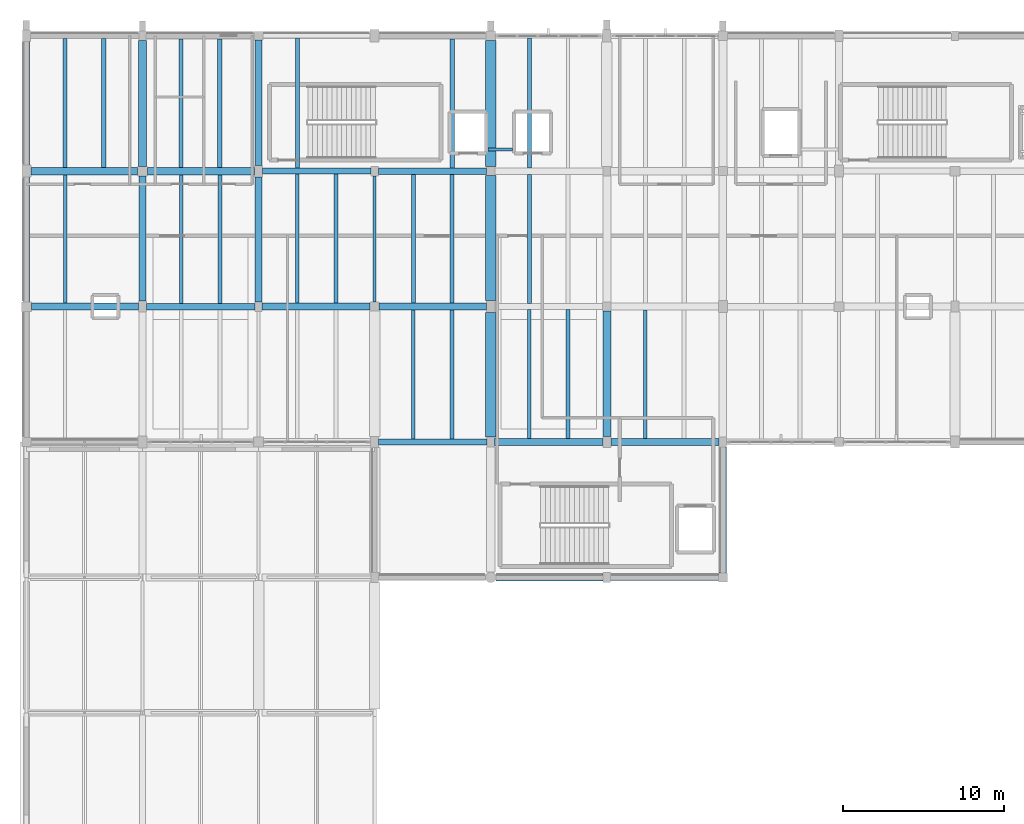
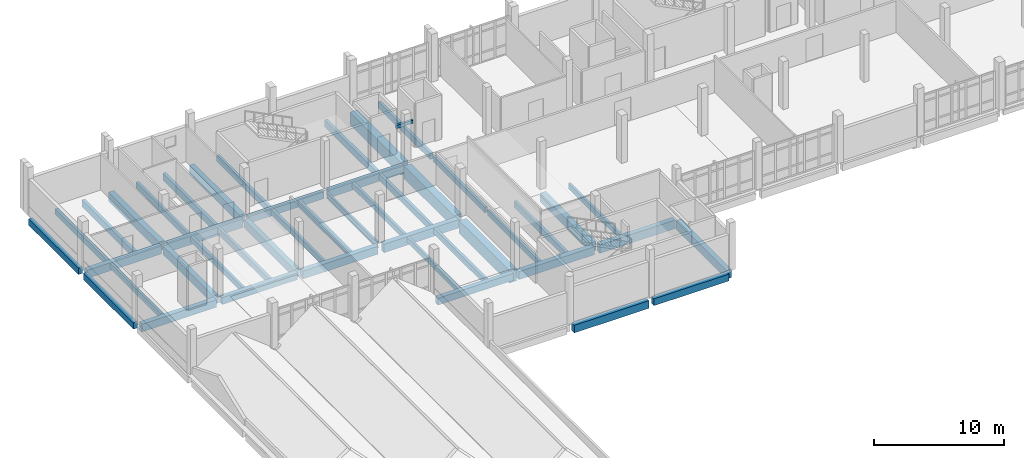
# One storey, part 12 of 41: 46 beams.
"""IFC4 building model written with IfcOpenShell, lengths in metres."""

from ifc_helpers import new_model, si_unit, direction, frame, origin, origin_2d, place, context, subcontext, project, spatial, rectangle, i_section, extrude, material, material_profile, profile_set, type_object, element, save


model = new_model("IFC4")

# Units and contexts
model_context = context("Model", 3, precision=1e-05, world=origin(), true_north=direction((0.0, 1.0)))
body_context = subcontext(model_context, "Body", "Model", "MODEL_VIEW")
ifc_project = project(units=[si_unit("LENGTHUNIT", "METRE"), si_unit("AREAUNIT", "SQUARE_METRE"), si_unit("VOLUMEUNIT", "CUBIC_METRE"), si_unit("PLANEANGLEUNIT", "RADIAN"), si_unit("MASSUNIT", "GRAM", prefix="KILO")], contexts=[model_context])

# Site, building, storey
site_placement = place(None, origin())
site = spatial("IfcSite", under=ifc_project, at=site_placement, CompositionType="ELEMENT")
building_placement = place(site_placement, origin())
building = spatial("IfcBuilding", under=site, at=building_placement, Name="Kalluvel Institute of Natural Sciences", CompositionType="ELEMENT")
storey_placement = place(building_placement, frame((0.0, 0.0, 32.39990234375)))
storey = spatial("IfcBuildingStorey", under=building, at=storey_placement, Name="L07", CompositionType="ELEMENT", Elevation=32.39990234375)

# Beams
ifc_material_1 = material(Name="Steel E350 Grade 350", Category="steel")
ifc_material_profile_1 = material_profile(ifc_material_1, i_section(OverallWidth=0.18994140625, OverallDepth=0.550048828125, WebThickness=0.01123046875, FlangeThickness=0.019287109375, FilletRadius=0.01806640625, at=origin_2d()), Name="ISMB 550")
ifc_profile_set_1 = profile_set([ifc_material_profile_1], Name="Steel E350 Grade 350")
beam_type_1 = type_object("IfcBeamType", Name="BM-ISMB550", PredefinedType="BEAM", material=ifc_profile_set_1)
beam_1_placement = place(storey_placement, frame((35.60009765625, 111.47509765625, -0.594970703125), z_axis=(0.0, 1.0, 0.0), x_axis=(-1.0, 0.0, 0.0)))
element("IfcBeam", 1, at=beam_1_placement, inside=storey, type_object=beam_type_1, Name="L07 girder GIR-L07-NS-X356-Y1112", PredefinedType="BEAM", context=body_context, shape_type="SweptSolid", body=[
    extrude(i_section(OverallWidth=0.18994140625, OverallDepth=0.550048828125, WebThickness=0.01123046875, FlangeThickness=0.019287109375, FilletRadius=0.01806640625, at=origin_2d()), origin(), (0.0, 0.0, 1.0), 7.824951171875),
])
ifc_material_2 = material(Name="Concrete M40", Category="concrete")
ifc_material_profile_2 = material_profile(ifc_material_2, rectangle(XDim=0.3798828125, YDim=0.639892578125, at=origin_2d()), Name="RCB 380x640")
ifc_profile_set_2 = profile_set([ifc_material_profile_2], Name="Concrete M40")
beam_type_2 = type_object("IfcBeamType", Name="BM-RC380x640", PredefinedType="BEAM", material=ifc_profile_set_2)
beam_2_placement = place(storey_placement, frame((28.64990234375, 119.60009765625, -0.639892578125), z_axis=(1.0, 0.0, 0.0), x_axis=(0.0, 1.0, 0.0)))
element("IfcBeam", 2, at=beam_2_placement, inside=storey, type_object=beam_type_2, Name="L07 girder GIR-L07-EW-X284-Y1196", PredefinedType="BEAM", context=body_context, shape_type="SweptSolid", body=[
    extrude(rectangle(XDim=0.3798828125, YDim=0.639892578125, at=origin_2d()), origin(), (0.0, 0.0, 1.0), 6.72509765625),
])
ifc_material_profile_3 = material_profile(ifc_material_2, rectangle(XDim=0.39990234375, YDim=0.64990234375, at=origin_2d()), Name="RCB 400x650")
ifc_profile_set_3 = profile_set([ifc_material_profile_3], Name="Concrete M40")
beam_type_3 = type_object("IfcBeamType", Name="BM-RC400x650", PredefinedType="BEAM", material=ifc_profile_set_3)
beam_3_placement = place(storey_placement, frame((50.22509765625, 94.39990234375, -0.64501953125), z_axis=(1.0, 0.0, 0.0), x_axis=(0.0, 1.0, 0.0)))
element("IfcBeam", 3, at=beam_3_placement, inside=storey, type_object=beam_type_3, Name="L07 girder GIR-L07-EW-X500-Y944", PredefinedType="BEAM", context=body_context, shape_type="SweptSolid", body=[
    extrude(rectangle(XDim=0.39990234375, YDim=0.64990234375, at=origin_2d()), origin(), (0.0, 0.0, 1.0), 6.699951171875),
])
beam_4_placement = place(storey_placement, frame((35.85009765625, 102.800048828125, -0.64501953125), z_axis=(1.0, 0.0, 0.0), x_axis=(0.0, 1.0, 0.0)))
element("IfcBeam", 4, at=beam_4_placement, inside=storey, type_object=beam_type_3, Name="L07 girder GIR-L07-EW-X356-Y1028", PredefinedType="BEAM", context=body_context, shape_type="SweptSolid", body=[
    extrude(rectangle(XDim=0.39990234375, YDim=0.64990234375, at=origin_2d()), origin(), (0.0, 0.0, 1.0), 6.724853515625),
])
beam_5_placement = place(storey_placement, frame((21.449951171875, 111.199951171875, -0.64501953125), z_axis=(1.0, 0.0, 0.0), x_axis=(0.0, 1.0, 0.0)))
element("IfcBeam", 5, at=beam_5_placement, inside=storey, type_object=beam_type_3, Name="L07 girder GIR-L07-EW-X212-Y1112", PredefinedType="BEAM", context=body_context, shape_type="SweptSolid", body=[
    extrude(rectangle(XDim=0.39990234375, YDim=0.64990234375, at=origin_2d()), origin(), (0.0, 0.0, 1.0), 6.72509765625),
])
ifc_material_profile_4 = material_profile(ifc_material_2, rectangle(XDim=0.419921875, YDim=0.719970703125, at=origin_2d()), Name="RCB 420x720")
ifc_profile_set_4 = profile_set([ifc_material_profile_4], Name="Concrete M40")
beam_type_4 = type_object("IfcBeamType", Name="BM-RC420x720", PredefinedType="BEAM", material=ifc_profile_set_4)
for number, where, z_axis, x_axis, name in (
    (6, (43.125, 94.39990234375, -0.679931640625), (1.0, 0.0, 0.0), (0.0, 1.0, 0.0), "L07 girder GIR-L07-EW-X428-Y944"),
    (7, (14.300048828125, 111.199951171875, -0.679931640625), (1.0, 0.0, 0.0), (0.0, 1.0, 0.0), "L07 girder GIR-L07-EW-X140-Y1112"),
):
    element("IfcBeam", number, at=place(storey_placement, frame(where, z_axis=z_axis, x_axis=x_axis)), inside=storey, type_object=beam_type_4, Name=name, PredefinedType="BEAM", context=body_context, shape_type="SweptSolid", body=[
        extrude(rectangle(XDim=0.419921875, YDim=0.719970703125, at=origin_2d()), origin(), (0.0, 0.0, 1.0), 6.64990234375),
    ])
beam_6_placement = place(storey_placement, frame((35.824951171875, 119.60009765625, -0.679931640625), z_axis=(1.0, 0.0, 0.0), x_axis=(0.0, 1.0, 0.0)))
element("IfcBeam", 8, at=beam_6_placement, inside=storey, type_object=beam_type_4, Name="L07 girder GIR-L07-EW-X356-Y1196", PredefinedType="BEAM", context=body_context, shape_type="SweptSolid", body=[
    extrude(rectangle(XDim=0.419921875, YDim=0.719970703125, at=origin_2d()), origin(), (0.0, 0.0, 1.0), 6.699951171875),
])
ifc_material_profile_5 = material_profile(ifc_material_2, rectangle(XDim=0.449951171875, YDim=0.75, at=origin_2d()), Name="RCB 450x750")
ifc_profile_set_5 = profile_set([ifc_material_profile_5], Name="Concrete M40")
beam_type_5 = type_object("IfcBeamType", Name="BM-RC450x750", PredefinedType="BEAM", material=ifc_profile_set_5)
beam_7_placement = place(storey_placement, frame((43.02490234375, 102.800048828125, -0.69482421875), z_axis=(1.0, 0.0, 0.0), x_axis=(0.0, 1.0, 0.0)))
element("IfcBeam", 9, at=beam_7_placement, inside=storey, type_object=beam_type_5, Name="L07 girder GIR-L07-EW-X428-Y1028", PredefinedType="BEAM", context=body_context, shape_type="SweptSolid", body=[
    extrude(rectangle(XDim=0.449951171875, YDim=0.75, at=origin_2d()), origin(), (0.0, 0.0, 1.0), 6.72509765625),
])
beam_8_placement = place(storey_placement, frame((28.625, 111.199951171875, -0.69482421875), z_axis=(1.0, 0.0, 0.0), x_axis=(0.0, 1.0, 0.0)))
element("IfcBeam", 10, at=beam_8_placement, inside=storey, type_object=beam_type_5, Name="L07 girder GIR-L07-EW-X284-Y1112", PredefinedType="BEAM", context=body_context, shape_type="SweptSolid", body=[
    extrude(rectangle(XDim=0.449951171875, YDim=0.75, at=origin_2d()), origin(), (0.0, 0.0, 1.0), 6.699951171875),
])
beam_9_placement = place(storey_placement, frame((14.27490234375, 119.60009765625, -0.69482421875), z_axis=(1.0, 0.0, 0.0), x_axis=(0.0, 1.0, 0.0)))
element("IfcBeam", 11, at=beam_9_placement, inside=storey, type_object=beam_type_5, Name="L07 girder GIR-L07-EW-X140-Y1196", PredefinedType="BEAM", context=body_context, shape_type="SweptSolid", body=[
    extrude(rectangle(XDim=0.449951171875, YDim=0.75, at=origin_2d()), origin(), (0.0, 0.0, 1.0), 6.625),
])
ifc_material_profile_6 = material_profile(ifc_material_2, rectangle(XDim=0.449951171875, YDim=0.800048828125, at=origin_2d()), Name="RCB 450x800")
ifc_profile_set_6 = profile_set([ifc_material_profile_6], Name="Concrete M40")
beam_type_6 = type_object("IfcBeamType", Name="BM-RC450x800", PredefinedType="BEAM", material=ifc_profile_set_6)
beam_10_placement = place(storey_placement, frame((50.25, 102.800048828125, -0.719970703125), z_axis=(1.0, 0.0, 0.0), x_axis=(0.0, 1.0, 0.0)))
element("IfcBeam", 12, at=beam_10_placement, inside=storey, type_object=beam_type_6, Name="L07 girder GIR-L07-EW-X500-Y1028", PredefinedType="BEAM", context=body_context, shape_type="SweptSolid", body=[
    extrude(rectangle(XDim=0.449951171875, YDim=0.800048828125, at=origin_2d()), origin(), (0.0, 0.0, 1.0), 6.72509765625),
])
for number, where, z_axis, x_axis, name in (
    (13, (35.875, 111.199951171875, -0.719970703125), (1.0, 0.0, 0.0), (0.0, 1.0, 0.0), "L07 girder GIR-L07-EW-X356-Y1112"),
    (14, (21.5, 119.60009765625, -0.719970703125), (1.0, 0.0, 0.0), (0.0, 1.0, 0.0), "L07 girder GIR-L07-EW-X212-Y1196"),
):
    element("IfcBeam", number, at=place(storey_placement, frame(where, z_axis=z_axis, x_axis=x_axis)), inside=storey, type_object=beam_type_6, Name=name, PredefinedType="BEAM", context=body_context, shape_type="SweptSolid", body=[
        extrude(rectangle(XDim=0.449951171875, YDim=0.800048828125, at=origin_2d()), origin(), (0.0, 0.0, 1.0), 6.64990234375),
    ])
for number, where, z_axis, x_axis, name in (
    (15, (21.199951171875, 111.550048828125, -0.719970703125), (0.0, 1.0, 0.0), (-1.0, 0.0, 0.0), "L07 girder GIR-L07-NS-X212-Y1112"),
    (16, (28.39990234375, 111.5, -0.719970703125), (0.0, 1.0, 0.0), (-1.0, 0.0, 0.0), "L07 girder GIR-L07-NS-X284-Y1112"),
):
    element("IfcBeam", number, at=place(storey_placement, frame(where, z_axis=z_axis, x_axis=x_axis)), inside=storey, type_object=beam_type_6, Name=name, PredefinedType="BEAM", context=body_context, shape_type="SweptSolid", body=[
        extrude(rectangle(XDim=0.449951171875, YDim=0.800048828125, at=origin_2d()), origin(), (0.0, 0.0, 1.0), 7.75),
    ])
beam_11_placement = place(storey_placement, frame((28.39990234375, 119.949951171875, -0.719970703125), z_axis=(0.0, 1.0, 0.0), x_axis=(-1.0, 0.0, 0.0)))
element("IfcBeam", 17, at=beam_11_placement, inside=storey, type_object=beam_type_6, Name="L07 girder GIR-L07-NS-X284-Y1196", PredefinedType="BEAM", context=body_context, shape_type="SweptSolid", body=[
    extrude(rectangle(XDim=0.449951171875, YDim=0.800048828125, at=origin_2d()), origin(), (0.0, 0.0, 1.0), 7.775146484375),
])
beam_12_placement = place(storey_placement, frame((57.199951171875, 94.675048828125, -0.719970703125), z_axis=(0.0, 1.0, 0.0), x_axis=(-1.0, 0.0, 0.0)))
element("IfcBeam", 18, at=beam_12_placement, inside=storey, type_object=beam_type_6, Name="L07 girder GIR-L07-NS-X572-Y944", PredefinedType="BEAM", context=body_context, shape_type="SweptSolid", body=[
    extrude(rectangle(XDim=0.449951171875, YDim=0.800048828125, at=origin_2d()), origin(), (0.0, 0.0, 1.0), 7.824951171875),
])
ifc_material_3 = material(Name="Concrete M50", Category="concrete")
ifc_material_profile_7 = material_profile(ifc_material_3, rectangle(XDim=0.5, YDim=0.85009765625, at=origin_2d()), Name="RCB 500x850")
ifc_profile_set_7 = profile_set([ifc_material_profile_7], Name="Concrete M50")
beam_type_7 = type_object("IfcBeamType", Name="BM-RC500x850", PredefinedType="BEAM", material=ifc_profile_set_7)
beam_13_placement = place(storey_placement, frame((21.199951171875, 119.89990234375, -0.744873046875), z_axis=(0.0, 1.0, 0.0), x_axis=(-1.0, 0.0, 0.0)))
element("IfcBeam", 19, at=beam_13_placement, inside=storey, type_object=beam_type_7, Name="L07 girder GIR-L07-NS-X212-Y1196", PredefinedType="BEAM", context=body_context, shape_type="SweptSolid", body=[
    extrude(rectangle(XDim=0.5, YDim=0.85009765625, at=origin_2d()), origin(), (0.0, 0.0, 1.0), 7.800048828125),
])
beam_14_placement = place(storey_placement, frame((50.0, 103.14990234375, -0.744873046875), z_axis=(0.0, 1.0, 0.0), x_axis=(-1.0, 0.0, 0.0)))
element("IfcBeam", 20, at=beam_14_placement, inside=storey, type_object=beam_type_7, Name="L07 girder GIR-L07-NS-X500-Y1028", PredefinedType="BEAM", context=body_context, shape_type="SweptSolid", body=[
    extrude(rectangle(XDim=0.5, YDim=0.85009765625, at=origin_2d()), origin(), (0.0, 0.0, 1.0), 7.775146484375),
])
ifc_material_profile_8 = material_profile(ifc_material_3, rectangle(XDim=0.64990234375, YDim=1.199951171875, at=origin_2d()), Name="RCB 650x1200")
ifc_profile_set_8 = profile_set([ifc_material_profile_8], Name="Concrete M50")
beam_type_8 = type_object("IfcBeamType", Name="BM-RC650x1200", PredefinedType="BEAM", material=ifc_profile_set_8)
beam_15_placement = place(storey_placement, frame((42.800048828125, 103.10009765625, -0.919921875), z_axis=(0.0, 1.0, 0.0), x_axis=(-1.0, 0.0, 0.0)))
element("IfcBeam", 21, at=beam_15_placement, inside=storey, type_object=beam_type_8, Name="L07 girder GIR-L07-NS-X428-Y1028", PredefinedType="BEAM", context=body_context, shape_type="SweptSolid", body=[
    extrude(rectangle(XDim=0.64990234375, YDim=1.199951171875, at=origin_2d()), origin(), (0.0, 0.0, 1.0), 7.724853515625),
])
beam_16_placement = place(storey_placement, frame((42.800048828125, 111.574951171875, -0.919921875), z_axis=(0.0, 1.0, 0.0), x_axis=(-1.0, 0.0, 0.0)))
element("IfcBeam", 22, at=beam_16_placement, inside=storey, type_object=beam_type_8, Name="L07 girder GIR-L07-NS-X428-Y1112", PredefinedType="BEAM", context=body_context, shape_type="SweptSolid", body=[
    extrude(rectangle(XDim=0.64990234375, YDim=1.199951171875, at=origin_2d()), origin(), (0.0, 0.0, 1.0), 7.75),
])
beam_17_placement = place(storey_placement, frame((42.800048828125, 119.875, -0.919921875), z_axis=(0.0, 1.0, 0.0), x_axis=(-1.0, 0.0, 0.0)))
element("IfcBeam", 23, at=beam_17_placement, inside=storey, type_object=beam_type_8, Name="L07 girder GIR-L07-NS-X428-Y1196", PredefinedType="BEAM", context=body_context, shape_type="SweptSolid", body=[
    extrude(rectangle(XDim=0.64990234375, YDim=1.199951171875, at=origin_2d()), origin(), (0.0, 0.0, 1.0), 7.824951171875),
])
ifc_material_4 = material(Name="Sadarahalli Granite Precast Concrete M45", Category="masonry")
ifc_material_profile_9 = material_profile(ifc_material_4, rectangle(XDim=0.199951171875, YDim=0.300048828125, at=origin_2d()), Name="LIN 200x300")
ifc_profile_set_9 = profile_set([ifc_material_profile_9], Name="Sadarahalli Granite Precast Concrete M45")
beam_type_9 = type_object("IfcBeamType", Name="LN-200x300-INT", PredefinedType="LINTEL", material=ifc_profile_set_9)
beam_18_placement = place(storey_placement, frame((42.639892578125, 120.949951171875, 2.35009765625), z_axis=(1.0, 0.0, 0.0), x_axis=(0.0, 1.0, 0.0)))
element("IfcBeam", 24, at=beam_18_placement, inside=storey, type_object=beam_type_9, Name="L07 lift-core coupling lintel A", PredefinedType="LINTEL", context=body_context, shape_type="SweptSolid", body=[
    extrude(rectangle(XDim=0.199951171875, YDim=0.300048828125, at=origin_2d()), origin(), (0.0, 0.0, 1.0), 1.52001953125),
])
ifc_material_profile_10 = material_profile(ifc_material_2, rectangle(XDim=0.35009765625, YDim=0.60009765625, at=origin_2d()), Name="RCB 350x600")
ifc_profile_set_10 = profile_set([ifc_material_profile_10], Name="Concrete M40")
beam_type_10 = type_object("IfcBeamType", Name="SP-RC350x600", PredefinedType="SPANDREL", material=ifc_profile_set_10)
beam_19_placement = place(storey_placement, frame((14.0, 111.5, -0.619873046875), z_axis=(0.0, 1.0, 0.0), x_axis=(-1.0, 0.0, 0.0)))
element("IfcBeam", 25, at=beam_19_placement, inside=storey, type_object=beam_type_10, Name="L07 girder GIR-L07-NS-X140-Y1112", PredefinedType="SPANDREL", context=body_context, shape_type="SweptSolid", body=[
    extrude(rectangle(XDim=0.35009765625, YDim=0.60009765625, at=origin_2d()), origin(), (0.0, 0.0, 1.0), 7.72509765625),
])
beam_20_placement = place(storey_placement, frame((14.0, 119.97509765625, -0.619873046875), z_axis=(0.0, 1.0, 0.0), x_axis=(-1.0, 0.0, 0.0)))
element("IfcBeam", 26, at=beam_20_placement, inside=storey, type_object=beam_type_10, Name="L07 girder GIR-L07-NS-X140-Y1196", PredefinedType="SPANDREL", context=body_context, shape_type="SweptSolid", body=[
    extrude(rectangle(XDim=0.35009765625, YDim=0.60009765625, at=origin_2d()), origin(), (0.0, 0.0, 1.0), 7.6748046875),
])
ifc_material_profile_11 = material_profile(ifc_material_2, rectangle(XDim=0.219970703125, YDim=0.5, at=origin_2d()), Name="WAF 220x500")
ifc_profile_set_11 = profile_set([ifc_material_profile_11], Name="Concrete M40")
beam_type_11 = type_object("IfcBeamType", Name="WJ-220x500", PredefinedType="JOIST", material=ifc_profile_set_11)
beam_21_placement = place(storey_placement, frame((16.39990234375, 111.409912109375, -0.56982421875), z_axis=(0.0, 1.0, 0.0), x_axis=(-1.0, 0.0, 0.0)))
element("IfcBeam", 27, at=beam_21_placement, inside=storey, type_object=beam_type_11, Name="L07 waffle joist RIB-L07-0513", PredefinedType="JOIST", context=body_context, shape_type="SweptSolid", body=[
    extrude(rectangle(XDim=0.219970703125, YDim=0.5, at=origin_2d()), origin(), (0.0, 0.0, 1.0), 7.965087890625),
])
beam_22_placement = place(storey_placement, frame((38.0, 103.0, -0.56982421875), z_axis=(0.0, 1.0, 0.0), x_axis=(-1.0, 0.0, 0.0)))
element("IfcBeam", 28, at=beam_22_placement, inside=storey, type_object=beam_type_11, Name="L07 waffle joist RIB-L07-0527", PredefinedType="JOIST", context=body_context, shape_type="SweptSolid", body=[
    extrude(rectangle(XDim=0.219970703125, YDim=0.5, at=origin_2d()), origin(), (0.0, 0.0, 1.0), 7.97509765625),
])
beam_23_placement = place(storey_placement, frame((45.199951171875, 103.02490234375, -0.56982421875), z_axis=(0.0, 1.0, 0.0), x_axis=(-1.0, 0.0, 0.0)))
element("IfcBeam", 29, at=beam_23_placement, inside=storey, type_object=beam_type_11, Name="L07 waffle joist RIB-L07-0532", PredefinedType="JOIST", context=body_context, shape_type="SweptSolid", body=[
    extrude(rectangle(XDim=0.219970703125, YDim=0.5, at=origin_2d()), origin(), (0.0, 0.0, 1.0), 7.985107421875),
])
beam_24_placement = place(storey_placement, frame((52.39990234375, 103.02490234375, -0.56982421875), z_axis=(0.0, 1.0, 0.0), x_axis=(-1.0, 0.0, 0.0)))
element("IfcBeam", 30, at=beam_24_placement, inside=storey, type_object=beam_type_11, Name="L07 waffle joist RIB-L07-0538", PredefinedType="JOIST", context=body_context, shape_type="SweptSolid", body=[
    extrude(rectangle(XDim=0.219970703125, YDim=0.5, at=origin_2d()), origin(), (0.0, 0.0, 1.0), 7.965087890625),
])
ifc_material_profile_12 = material_profile(ifc_material_2, rectangle(XDim=0.239990234375, YDim=0.52001953125, at=origin_2d()), Name="WAF 240x520")
ifc_profile_set_12 = profile_set([ifc_material_profile_12], Name="Concrete M40")
beam_type_12 = type_object("IfcBeamType", Name="WJ-240x520", PredefinedType="JOIST", material=ifc_profile_set_12)
beam_25_placement = place(storey_placement, frame((23.60009765625, 111.39990234375, -0.579833984375), z_axis=(0.0, 1.0, 0.0), x_axis=(-1.0, 0.0, 0.0)))
element("IfcBeam", 31, at=beam_25_placement, inside=storey, type_object=beam_type_12, Name="L07 waffle joist RIB-L07-0518", PredefinedType="JOIST", context=body_context, shape_type="SweptSolid", body=[
    extrude(rectangle(XDim=0.239990234375, YDim=0.52001953125, at=origin_2d()), origin(), (0.0, 0.0, 1.0), 7.97509765625),
])
beam_26_placement = place(storey_placement, frame((30.800048828125, 111.425048828125, -0.579833984375), z_axis=(0.0, 1.0, 0.0), x_axis=(-1.0, 0.0, 0.0)))
element("IfcBeam", 32, at=beam_26_placement, inside=storey, type_object=beam_type_12, Name="L07 waffle joist RIB-L07-0524", PredefinedType="JOIST", context=body_context, shape_type="SweptSolid", body=[
    extrude(rectangle(XDim=0.239990234375, YDim=0.52001953125, at=origin_2d()), origin(), (0.0, 0.0, 1.0), 7.98486328125),
])
beam_27_placement = place(storey_placement, frame((38.0, 111.425048828125, -0.579833984375), z_axis=(0.0, 1.0, 0.0), x_axis=(-1.0, 0.0, 0.0)))
element("IfcBeam", 33, at=beam_27_placement, inside=storey, type_object=beam_type_12, Name="L07 waffle joist RIB-L07-0529", PredefinedType="JOIST", context=body_context, shape_type="SweptSolid", body=[
    extrude(rectangle(XDim=0.239990234375, YDim=0.52001953125, at=origin_2d()), origin(), (0.0, 0.0, 1.0), 7.96484375),
])
beam_28_placement = place(storey_placement, frame((45.199951171875, 111.389892578125, -0.579833984375), z_axis=(0.0, 1.0, 0.0), x_axis=(-1.0, 0.0, 0.0)))
element("IfcBeam", 34, at=beam_28_placement, inside=storey, type_object=beam_type_12, Name="L07 waffle joist RIB-L07-0534", PredefinedType="JOIST", context=body_context, shape_type="SweptSolid", body=[
    extrude(rectangle(XDim=0.239990234375, YDim=0.52001953125, at=origin_2d()), origin(), (0.0, 0.0, 1.0), 8.010009765625),
])
ifc_material_profile_13 = material_profile(ifc_material_2, rectangle(XDim=0.25, YDim=0.550048828125, at=origin_2d()), Name="WAF 250x550")
ifc_profile_set_13 = profile_set([ifc_material_profile_13], Name="Concrete M40")
beam_type_13 = type_object("IfcBeamType", Name="WJ-250x550", PredefinedType="JOIST", material=ifc_profile_set_13)
beam_29_placement = place(storey_placement, frame((16.39990234375, 119.824951171875, -0.594970703125), z_axis=(0.0, 1.0, 0.0), x_axis=(-1.0, 0.0, 0.0)))
element("IfcBeam", 35, at=beam_29_placement, inside=storey, type_object=beam_type_13, Name="L07 waffle joist RIB-L07-0514", PredefinedType="JOIST", context=body_context, shape_type="SweptSolid", body=[
    extrude(rectangle(XDim=0.25, YDim=0.550048828125, at=origin_2d()), origin(), (0.0, 0.0, 1.0), 8.0),
])
beam_30_placement = place(storey_placement, frame((40.39990234375, 103.0, -0.594970703125), z_axis=(0.0, 1.0, 0.0), x_axis=(-1.0, 0.0, 0.0)))
element("IfcBeam", 36, at=beam_30_placement, inside=storey, type_object=beam_type_13, Name="L07 waffle joist RIB-L07-0528", PredefinedType="JOIST", context=body_context, shape_type="SweptSolid", body=[
    extrude(rectangle(XDim=0.25, YDim=0.550048828125, at=origin_2d()), origin(), (0.0, 0.0, 1.0), 7.97509765625),
])
ifc_material_profile_14 = material_profile(ifc_material_2, rectangle(XDim=0.25, YDim=0.60009765625, at=origin_2d()), Name="WAF 250x600")
ifc_profile_set_14 = profile_set([ifc_material_profile_14], Name="Concrete M40")
beam_type_14 = type_object("IfcBeamType", Name="WJ-250x600", PredefinedType="JOIST", material=ifc_profile_set_14)
for number, where, z_axis, x_axis, name in (
    (37, (26.0, 111.39990234375, -0.619873046875), (0.0, 1.0, 0.0), (-1.0, 0.0, 0.0), "L07 waffle joist RIB-L07-0519"),
    (38, (23.60009765625, 119.824951171875, -0.619873046875), (0.0, 1.0, 0.0), (-1.0, 0.0, 0.0), "L07 waffle joist RIB-L07-0520"),
):
    element("IfcBeam", number, at=place(storey_placement, frame(where, z_axis=z_axis, x_axis=x_axis)), inside=storey, type_object=beam_type_14, Name=name, PredefinedType="JOIST", context=body_context, shape_type="SweptSolid", body=[
        extrude(rectangle(XDim=0.25, YDim=0.60009765625, at=origin_2d()), origin(), (0.0, 0.0, 1.0), 7.97509765625),
    ])
beam_31_placement = place(storey_placement, frame((33.199951171875, 111.425048828125, -0.619873046875), z_axis=(0.0, 1.0, 0.0), x_axis=(-1.0, 0.0, 0.0)))
element("IfcBeam", 39, at=beam_31_placement, inside=storey, type_object=beam_type_14, Name="L07 waffle joist RIB-L07-0525", PredefinedType="JOIST", context=body_context, shape_type="SweptSolid", body=[
    extrude(rectangle(XDim=0.25, YDim=0.60009765625, at=origin_2d()), origin(), (0.0, 0.0, 1.0), 7.98486328125),
])
beam_32_placement = place(storey_placement, frame((30.800048828125, 119.7900390625, -0.619873046875), z_axis=(0.0, 1.0, 0.0), x_axis=(-1.0, 0.0, 0.0)))
element("IfcBeam", 40, at=beam_32_placement, inside=storey, type_object=beam_type_14, Name="L07 waffle joist RIB-L07-0526", PredefinedType="JOIST", context=body_context, shape_type="SweptSolid", body=[
    extrude(rectangle(XDim=0.25, YDim=0.60009765625, at=origin_2d()), origin(), (0.0, 0.0, 1.0), 8.06005859375),
])
beam_33_placement = place(storey_placement, frame((40.39990234375, 111.425048828125, -0.619873046875), z_axis=(0.0, 1.0, 0.0), x_axis=(-1.0, 0.0, 0.0)))
element("IfcBeam", 41, at=beam_33_placement, inside=storey, type_object=beam_type_14, Name="L07 waffle joist RIB-L07-0530", PredefinedType="JOIST", context=body_context, shape_type="SweptSolid", body=[
    extrude(rectangle(XDim=0.25, YDim=0.60009765625, at=origin_2d()), origin(), (0.0, 0.0, 1.0), 7.96484375),
])
beam_34_placement = place(storey_placement, frame((47.60009765625, 103.02490234375, -0.619873046875), z_axis=(0.0, 1.0, 0.0), x_axis=(-1.0, 0.0, 0.0)))
element("IfcBeam", 42, at=beam_34_placement, inside=storey, type_object=beam_type_14, Name="L07 waffle joist RIB-L07-0533", PredefinedType="JOIST", context=body_context, shape_type="SweptSolid", body=[
    extrude(rectangle(XDim=0.25, YDim=0.60009765625, at=origin_2d()), origin(), (0.0, 0.0, 1.0), 7.985107421875),
])
beam_35_placement = place(storey_placement, frame((45.199951171875, 119.800048828125, -0.619873046875), z_axis=(0.0, 1.0, 0.0), x_axis=(-1.0, 0.0, 0.0)))
element("IfcBeam", 43, at=beam_35_placement, inside=storey, type_object=beam_type_14, Name="L07 waffle joist RIB-L07-0536", PredefinedType="JOIST", context=body_context, shape_type="SweptSolid", body=[
    extrude(rectangle(XDim=0.25, YDim=0.60009765625, at=origin_2d()), origin(), (0.0, 0.0, 1.0), 8.050048828125),
])
ifc_material_profile_15 = material_profile(ifc_material_3, rectangle(XDim=0.280029296875, YDim=0.64990234375, at=origin_2d()), Name="WAF 280x650")
ifc_profile_set_15 = profile_set([ifc_material_profile_15], Name="Concrete M50")
beam_type_15 = type_object("IfcBeamType", Name="WJ-280x650", PredefinedType="JOIST", material=ifc_profile_set_15)
beam_36_placement = place(storey_placement, frame((18.800048828125, 119.824951171875, -0.64501953125), z_axis=(0.0, 1.0, 0.0), x_axis=(-1.0, 0.0, 0.0)))
element("IfcBeam", 44, at=beam_36_placement, inside=storey, type_object=beam_type_15, Name="L07 waffle joist RIB-L07-0515", PredefinedType="JOIST", context=body_context, shape_type="SweptSolid", body=[
    extrude(rectangle(XDim=0.280029296875, YDim=0.64990234375, at=origin_2d()), origin(), (0.0, 0.0, 1.0), 8.0),
])
beam_37_placement = place(storey_placement, frame((26.0, 119.824951171875, -0.64501953125), z_axis=(0.0, 1.0, 0.0), x_axis=(-1.0, 0.0, 0.0)))
element("IfcBeam", 45, at=beam_37_placement, inside=storey, type_object=beam_type_15, Name="L07 waffle joist RIB-L07-0521", PredefinedType="JOIST", context=body_context, shape_type="SweptSolid", body=[
    extrude(rectangle(XDim=0.280029296875, YDim=0.64990234375, at=origin_2d()), origin(), (0.0, 0.0, 1.0), 7.97509765625),
])
beam_38_placement = place(storey_placement, frame((40.39990234375, 119.81005859375, -0.64501953125), z_axis=(0.0, 1.0, 0.0), x_axis=(-1.0, 0.0, 0.0)))
element("IfcBeam", 46, at=beam_38_placement, inside=storey, type_object=beam_type_15, Name="L07 waffle joist RIB-L07-0531", PredefinedType="JOIST", context=body_context, shape_type="SweptSolid", body=[
    extrude(rectangle(XDim=0.280029296875, YDim=0.64990234375, at=origin_2d()), origin(), (0.0, 0.0, 1.0), 7.989990234375),
])

save(model, "model.ifc")
